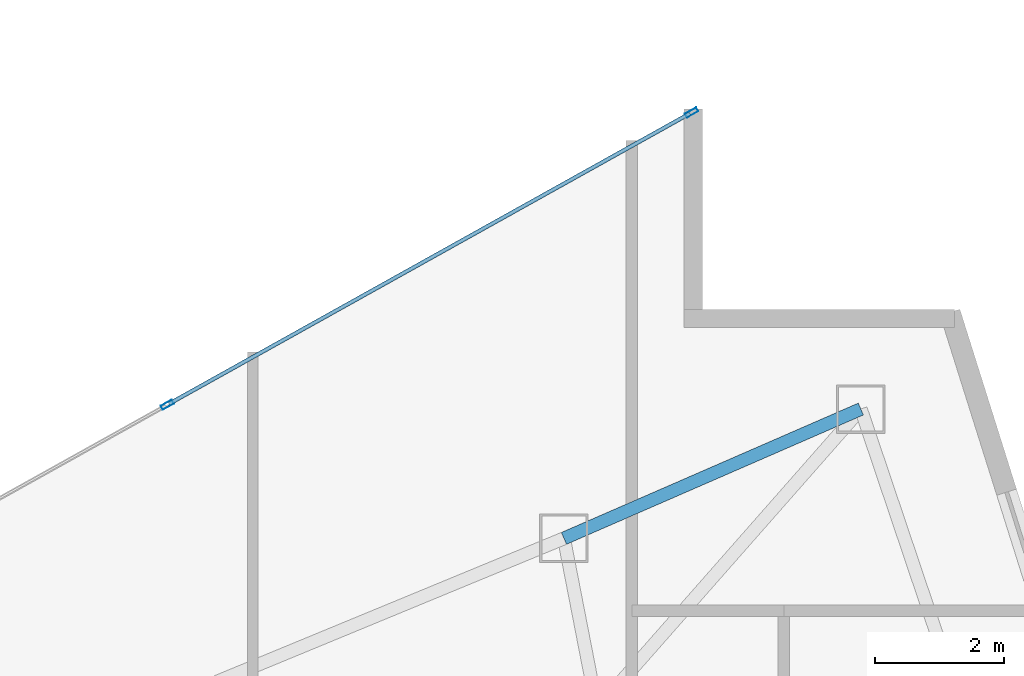
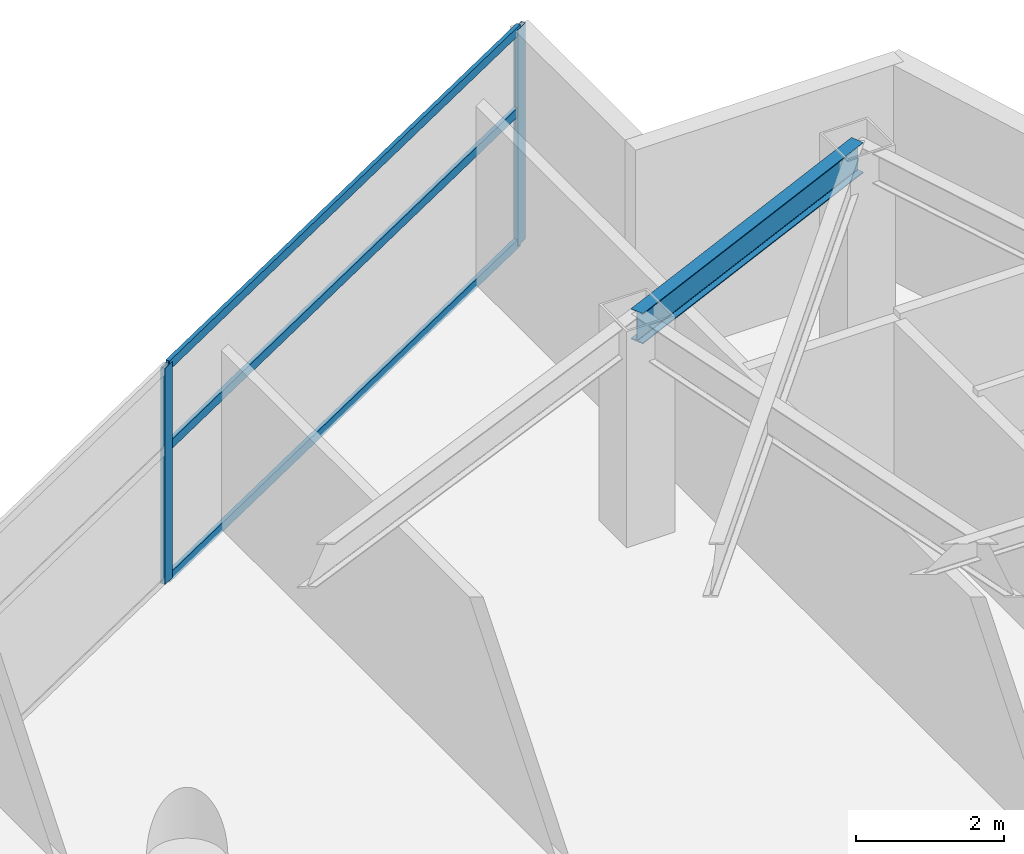
# One storey, part 20 of 29: 5 members, 1 beam, 1 element without a shape of its own.
"""IFC4 building model written with IfcOpenShell, lengths in metres."""

from ifc_helpers import new_model, si_unit, direction, frame, origin, origin_2d, place, context, subcontext, project, spatial, hollow_rectangle, i_section, extrude, material, layer, layer_set, material_profile, profile_set, type_object, element, aggregate, save


model = new_model("IFC4")

# Units and contexts
model_context = context("Model", 3, precision=1e-05, world=origin(), true_north=direction((0.0, 1.0)))
body_context = subcontext(model_context, "Body", "Model", "MODEL_VIEW")
ifc_project = project(units=[si_unit("LENGTHUNIT", "METRE"), si_unit("AREAUNIT", "SQUARE_METRE"), si_unit("VOLUMEUNIT", "CUBIC_METRE"), si_unit("PLANEANGLEUNIT", "RADIAN"), si_unit("MASSUNIT", "GRAM", prefix="KILO")], contexts=[model_context])

# Site, building, storey
site_placement = place(None, origin())
site = spatial("IfcSite", under=ifc_project, at=site_placement, CompositionType="ELEMENT")
building_placement = place(site_placement, origin())
building = spatial("IfcBuilding", under=site, at=building_placement, Name="Calvorn Quay Hotel", CompositionType="ELEMENT")
storey_placement = place(building_placement, frame((0.0, 0.0, 175.10009765625)))
storey = spatial("IfcBuildingStorey", under=building, at=storey_placement, Name="L43", CompositionType="ELEMENT", Elevation=175.10009765625)

# Beam
ifc_material_1 = material(Name="Steel Q355B", Category="steel")
ifc_material_profile_1 = material_profile(ifc_material_1, i_section(OverallWidth=0.199951171875, OverallDepth=0.5, WebThickness=0.010009765625, FlangeThickness=0.01611328125, FilletRadius=0.01611328125, at=origin_2d()), Name="HN500x200x10x16")
ifc_profile_set_1 = profile_set([ifc_material_profile_1], Name="Steel Q355B")
beam_type = type_object("IfcBeamType", Name="BM-SPANDREL-Z1", PredefinedType="SPANDREL", material=ifc_profile_set_1)
beam_placement = place(storey_placement, frame((48.591064453125, 33.39990234375, 3.289794921875), z_axis=(-0.916786146489, -0.399378469132, 0.0), x_axis=(0.399378469132, -0.916786146489, 0.0)))
element("IfcBeam", 1, at=beam_placement, inside=storey, type_object=beam_type, Name="Beam BSP-L43-E3", PredefinedType="SPANDREL", context=body_context, shape_type="SweptSolid", body=[
    extrude(i_section(OverallWidth=0.199951171875, OverallDepth=0.5, WebThickness=0.010009765625, FlangeThickness=0.01611328125, FilletRadius=0.01611328125, at=origin_2d()), origin(), (0.0, 0.0, 1.0), 5.0078125),
])

# Curtain wall, members
ifc_material_2 = material(Name="Pale Anodised Aluminium and Low-E Glass", Category="aluminium")
ifc_layer = layer(ifc_material_2, 0.219970703125)
ifc_layer_set = layer_set([ifc_layer], Name="CW-SYS-Z2")
curtain_wall_type = type_object("IfcCurtainWallType", Name="CW-SYS-Z2", PredefinedType="NOTDEFINED", material=ifc_layer_set)
curtain_wall_placement = place(storey_placement, origin())
curtain_wall = element("IfcCurtainWall", 2, at=curtain_wall_placement, inside=storey, type_object=curtain_wall_type, Name="Inner Court Curtain Wall L43-NE1", PredefinedType="NOTDEFINED")
ifc_material_3 = material(Name="Pale Anodised Aluminium 6063-T6", Category="aluminium")
ifc_material_profile_2 = material_profile(ifc_material_3, hollow_rectangle(XDim=0.070068359375, YDim=0.199951171875, WallThickness=0.00390625, at=origin_2d()), Name="ALU-M200x70x4")
ifc_profile_set_2 = profile_set([ifc_material_profile_2], Name="Pale Anodised Aluminium 6063-T6")
member_type_1 = type_object("IfcMemberType", Name="CW-SYS-Z2-MUL", PredefinedType="MULLION", material=ifc_profile_set_2)
member_1_placement = place(storey_placement, frame((45.973876953125, 37.9853515625, 0.0), z_axis=(0.0, 0.0, 1.0), x_axis=(0.486858256224, -0.873480989116, 0.0)))
member_1 = element("IfcMember", 3, at=member_1_placement, type_object=member_type_1, Name="CW-L43-NE1 mullion 1", PredefinedType="MULLION", context=body_context, shape_type="SweptSolid", body=[
    extrude(hollow_rectangle(XDim=0.070068359375, YDim=0.199951171875, WallThickness=0.00390625, at=origin_2d()), origin(), (0.0, 0.0, 1.0), 3.559814453125),
])
member_2_placement = place(storey_placement, frame((37.86669921875, 33.466552734375, 0.0), z_axis=(0.0, 0.0, 1.0), x_axis=(0.486858256224, -0.873480989116, 0.0)))
member_2 = element("IfcMember", 4, at=member_2_placement, type_object=member_type_1, Name="CW-L43-NE1 mullion 2", PredefinedType="MULLION", context=body_context, shape_type="SweptSolid", body=[
    extrude(hollow_rectangle(XDim=0.070068359375, YDim=0.199951171875, WallThickness=0.00390625, at=origin_2d()), origin(), (0.0, 0.0, 1.0), 3.559814453125),
])
ifc_material_4 = material(Name="Pale Anodised Aluminium 6063-T6", Category="aluminium")
ifc_material_profile_3 = material_profile(ifc_material_4, hollow_rectangle(XDim=0.06005859375, YDim=0.14990234375, WallThickness=0.00341796875, at=origin_2d()), Name="ALU-T150x60x3.5")
ifc_profile_set_3 = profile_set([ifc_material_profile_3], Name="Pale Anodised Aluminium 6063-T6")
member_type_2 = type_object("IfcMemberType", Name="CW-SYS-Z2-TRN", PredefinedType="USERDEFINED", material=ifc_profile_set_3)
member_3_placement = place(storey_placement, frame((45.947509765625, 37.970703125, 0.02978515625), z_axis=(-0.87348080454, -0.486858587375, 0.0), x_axis=(0.486858587375, -0.87348080454, 0.0)))
member_3 = element("IfcMember", 5, at=member_3_placement, type_object=member_type_2, Name="CW-L43-NE1 transom 1.1", ObjectType="TRANSOM", PredefinedType="USERDEFINED", context=body_context, shape_type="SweptSolid", body=[
    extrude(hollow_rectangle(XDim=0.06005859375, YDim=0.14990234375, WallThickness=0.00341796875, at=origin_2d()), origin(), (0.0, 0.0, 1.0), 9.221435546875),
])
member_4_placement = place(storey_placement, frame((45.947509765625, 37.970703125, 2.199951171875), z_axis=(-0.87348080454, -0.486858587375, 0.0), x_axis=(0.486858587375, -0.87348080454, 0.0)))
member_4 = element("IfcMember", 6, at=member_4_placement, type_object=member_type_2, Name="CW-L43-NE1 transom 1.2", ObjectType="TRANSOM", PredefinedType="USERDEFINED", context=body_context, shape_type="SweptSolid", body=[
    extrude(hollow_rectangle(XDim=0.06005859375, YDim=0.14990234375, WallThickness=0.00341796875, at=origin_2d()), origin(), (0.0, 0.0, 1.0), 9.221435546875),
])
member_5_placement = place(storey_placement, frame((45.947509765625, 37.970703125, 3.52978515625), z_axis=(-0.87348080454, -0.486858587375, 0.0), x_axis=(0.486858587375, -0.87348080454, 0.0)))
member_5 = element("IfcMember", 7, at=member_5_placement, type_object=member_type_2, Name="CW-L43-NE1 transom 1.3", ObjectType="TRANSOM", PredefinedType="USERDEFINED", context=body_context, shape_type="SweptSolid", body=[
    extrude(hollow_rectangle(XDim=0.06005859375, YDim=0.14990234375, WallThickness=0.00341796875, at=origin_2d()), origin(), (0.0, 0.0, 1.0), 9.221435546875),
])
aggregate(curtain_wall, [member_1, member_2, member_3, member_4, member_5])

save(model, "model.ifc")
